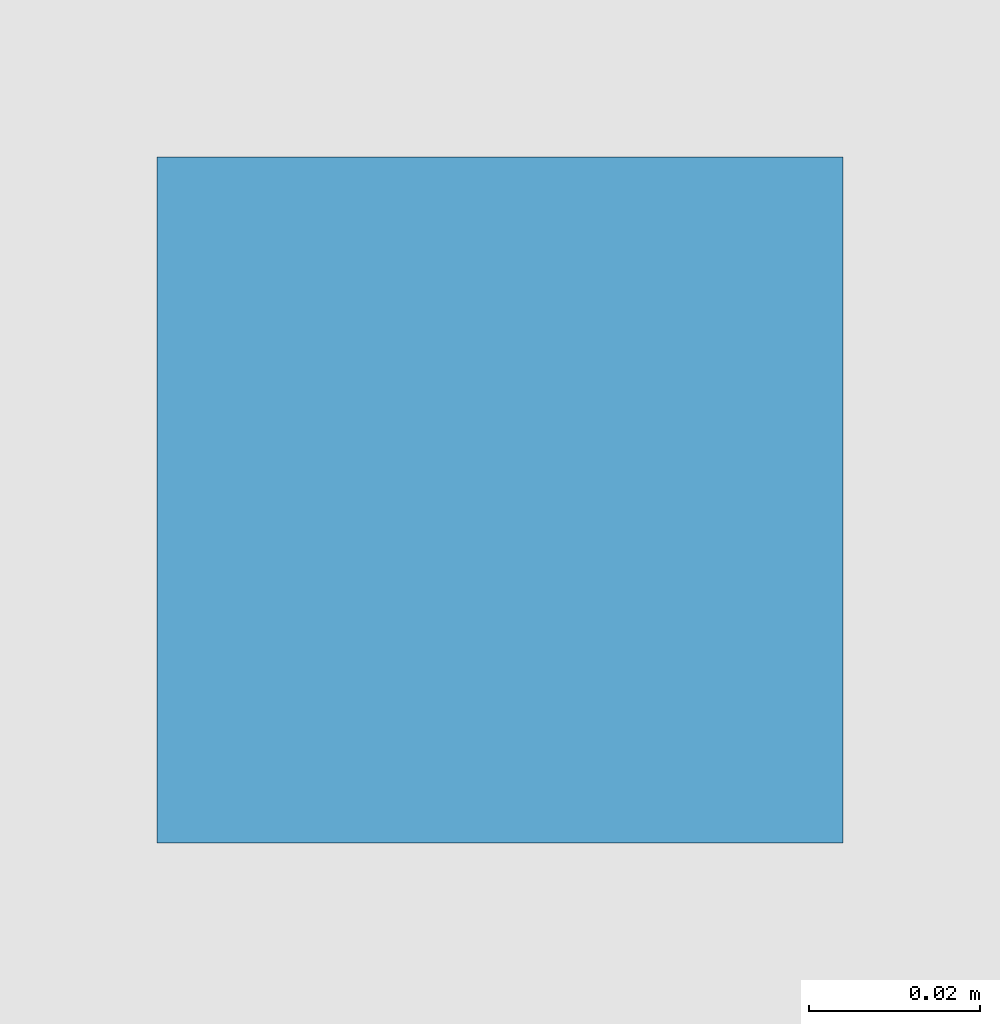
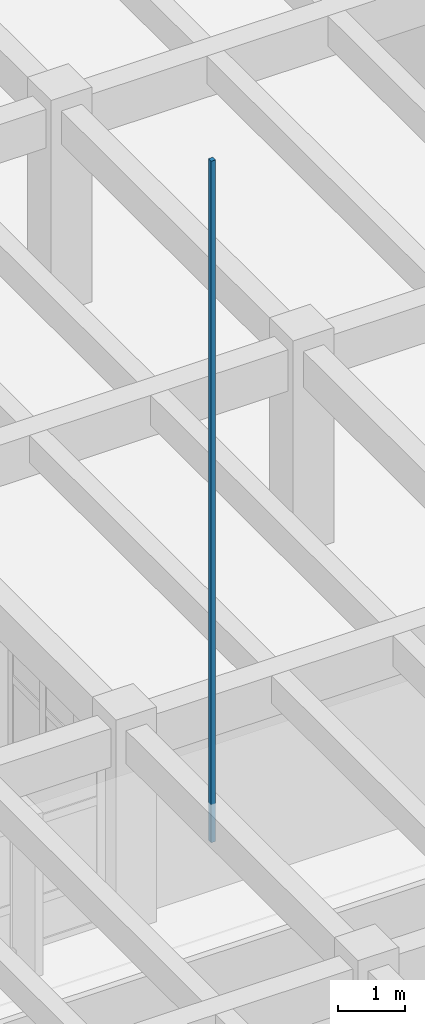
# One storey, part 47 of 54: 1 discrete accessory.
"""IFC4 building model written with IfcOpenShell, lengths in metres."""

import ifcopenshell
import ifcopenshell.guid

model = None  # the IFC model being written
_history = None  # IfcOwnerHistory: only IFC2X3 demands one
_inside = {}  # id of a spatial element -> (the spatial element, [elements in it])
_under = {}  # id of a project, library or spatial element -> (it, [spatial elements below it])
_declared = {}  # id of a project -> (the project, [libraries it declares])
_typed = {}  # id of a type object -> (the type object, [elements of that type])
_made_of = {}  # id of a material, layer set ... -> (it, [elements and type objects made of it])


def new_model(schema):
    """Start an empty IFC model of exactly this schema.

    Asked for "IFC4X3", IfcOpenShell would pick the latest addendum, in which some entities
    have other attributes; the version numbers below select the first issue.
    IFC2X3 requires an IfcOwnerHistory on every rooted entity: one is made here for all.
    """
    global model, _history
    if schema == "IFC4X3":
        model = ifcopenshell.file(schema_version=(4, 3, 0, 0))
    else:
        model = ifcopenshell.file(schema=schema)
    _inside.clear()
    _under.clear()
    _declared.clear()
    _typed.clear()
    _made_of.clear()
    _history = None
    if model.schema == "IFC2X3":
        org = make("IfcOrganization", Name="unknown")
        user = make(
            "IfcPersonAndOrganization",
            ThePerson=make("IfcPerson", FamilyName="unknown"),
            TheOrganization=org,
        )
        app = make(
            "IfcApplication",
            ApplicationDeveloper=org,
            Version="unknown",
            ApplicationFullName="unknown",
            ApplicationIdentifier="unknown",
        )
        _history = make(
            "IfcOwnerHistory",
            OwningUser=user,
            OwningApplication=app,
            ChangeAction="ADDED",
            CreationDate=0,
        )
    return model


def make(cls, **values):
    """One entity of the class cls with the attributes given. An attribute that is None is left unset."""
    return model.create_entity(
        cls, **{name: value for name, value in values.items() if value is not None}
    )


def rooted(cls, **values):
    """An entity with a GlobalId (a new one), such as an element, a storey or a relation."""
    return make(cls, GlobalId=ifcopenshell.guid.new(), OwnerHistory=_history, **values)


def si_unit(unit_type, name, prefix=None):
    """IfcSIUnit, for example si_unit("LENGTHUNIT", "METRE", prefix="MILLI")."""
    return make("IfcSIUnit", UnitType=unit_type, Prefix=prefix, Name=name)


def assignment(units):
    """IfcUnitAssignment: the units of a project."""
    return None if units is None else make("IfcUnitAssignment", Units=units)


def point(xyz):
    """IfcCartesianPoint."""
    return None if xyz is None else make("IfcCartesianPoint", Coordinates=xyz)


def direction(xyz):
    """IfcDirection."""
    return None if xyz is None else make("IfcDirection", DirectionRatios=xyz)


def frame(location, z_axis=None, x_axis=None):
    """IfcAxis2Placement3D, a coordinate frame: its origin and axes. An axis left out is left unset."""
    return make(
        "IfcAxis2Placement3D",
        Location=point(location),
        Axis=direction(z_axis),
        RefDirection=direction(x_axis),
    )


def frame_2d(location, x_axis=None):
    """IfcAxis2Placement2D, a coordinate frame in the plane: its origin and x axis."""
    return make(
        "IfcAxis2Placement2D", Location=point(location), RefDirection=direction(x_axis)
    )


def origin():
    """The frame at (0, 0, 0) with its axes left unset."""
    return frame((0.0, 0.0, 0.0))


def origin_2d():
    """The frame at (0, 0) in the plane with its x axis left unset."""
    return frame_2d((0.0, 0.0))


def place(relative_to, where):
    """IfcLocalPlacement: puts the frame where relative to a parent placement (None: the world)."""
    return make(
        "IfcLocalPlacement", PlacementRelTo=relative_to, RelativePlacement=where
    )


def context(
    kind, dimensions, precision=None, world=None, true_north=None, identifier=None
):
    """IfcGeometricRepresentationContext, for example the 3D "Model" context."""
    return make(
        "IfcGeometricRepresentationContext",
        ContextIdentifier=identifier,
        ContextType=kind,
        CoordinateSpaceDimension=dimensions,
        Precision=precision,
        WorldCoordinateSystem=world,
        TrueNorth=true_north,
    )


def subcontext(parent, identifier, kind, view, scale=None):
    """IfcGeometricRepresentationSubContext, for example "Body" below "Model"."""
    return make(
        "IfcGeometricRepresentationSubContext",
        ContextIdentifier=identifier,
        ContextType=kind,
        ParentContext=parent,
        TargetScale=scale,
        TargetView=view,
    )


def project(units=None, contexts=None):
    """IfcProject with its units and contexts."""
    return rooted(
        "IfcProject",
        Name="project",
        RepresentationContexts=contexts,
        UnitsInContext=assignment(units),
    )


def spatial(cls, under=None, at=None, **own):
    """A site, building, storey or space (cls), placed at a placement, below another one or the project."""
    s = rooted(cls, ObjectPlacement=at, **own)
    if under is not None:
        _under.setdefault(under.id(), (under, []))[1].append(s)
    return s


def profile(cls, at=None, kind="AREA", **sizes):
    """A parametric profile (cls). Its sizes go by their IFC names, for example OverallWidth=200.0."""
    return make(cls, ProfileType=kind, Position=at, **sizes)


def rectangle(**sizes):
    """IfcRectangleProfileDef."""
    return profile("IfcRectangleProfileDef", **sizes)


def extrude(swept, where, along, depth):
    """IfcExtrudedAreaSolid: the profile swept, set in the frame where, extruded along a direction by depth."""
    return make(
        "IfcExtrudedAreaSolid",
        SweptArea=swept,
        Position=where,
        ExtrudedDirection=direction(along),
        Depth=depth,
    )


def shape(context_of_items, identifier, shape_type, items):
    """IfcShapeRepresentation: the items that make up one representation, for example the "Body"."""
    return make(
        "IfcShapeRepresentation",
        ContextOfItems=context_of_items,
        RepresentationIdentifier=identifier,
        RepresentationType=shape_type,
        Items=items,
    )


def material(Name=None, Category=None):
    """IfcMaterial."""
    return make("IfcMaterial", Name=Name, Category=Category)


def made_of(thing, what):
    """Note that an element or type object is made of a material, layer set ...; save() writes the relation."""
    if what is not None:
        _made_of.setdefault(what.id(), (what, []))[1].append(thing)
    return thing


def type_object(cls, material=None, **own):
    """A type object (cls), such as IfcWallType, which elements share."""
    return made_of(rooted(cls, **own), material)


def element(
    cls,
    number,
    at=None,
    inside=None,
    cuts=None,
    type_object=None,
    material=None,
    context=None,
    identifier="Body",
    shape_type=None,
    held_by="IfcProductDefinitionShape",
    body=None,
    shapes=None,
    **own,
):
    """One element of the class cls, such as IfcWall. Its Tag is "e" and its number.

    at: its placement. inside: the storey or other place that contains it. cuts: it is an
    opening in that element (IfcRelVoidsElement). A single representation is given by context,
    identifier, shape_type and body (its items); several are given by shapes. held_by: the class
    of the entity that holds the representations. save() writes the other relations.
    """
    e = rooted(cls, Tag="e%d" % number, ObjectPlacement=at, **own)
    if body is not None:
        shapes = [shape(context, identifier, shape_type, body)]
    if shapes is not None:
        e.Representation = make(held_by, Representations=shapes)
    if inside is not None:
        _inside.setdefault(inside.id(), (inside, []))[1].append(e)
    if cuts is not None:
        rooted(
            "IfcRelVoidsElement", RelatingBuildingElement=cuts, RelatedOpeningElement=e
        )
    if type_object is not None:
        _typed.setdefault(type_object.id(), (type_object, []))[1].append(e)
    return made_of(e, material)


def aggregate(whole, parts):
    """IfcRelAggregates: a whole, such as a stair, and the parts it consists of."""
    return rooted("IfcRelAggregates", RelatingObject=whole, RelatedObjects=parts)


def save(model, path):
    """Write the relations noted so far, then the file.

    IfcRelAggregates (storeys below a building ...), IfcRelContainedInSpatialStructure (elements
    in a storey), IfcRelDefinesByType, IfcRelAssociatesMaterial and IfcRelDeclares: one each for
    every whole, place, type object, material and project.
    """
    for whole, parts in _under.values():
        aggregate(whole, parts)
    for where, things in _inside.values():
        rooted(
            "IfcRelContainedInSpatialStructure",
            RelatedElements=things,
            RelatingStructure=where,
        )
    for kind, things in _typed.values():
        rooted("IfcRelDefinesByType", RelatedObjects=things, RelatingType=kind)
    for what, things in _made_of.values():
        rooted("IfcRelAssociatesMaterial", RelatedObjects=things, RelatingMaterial=what)
    for by, libraries in _declared.values():
        rooted("IfcRelDeclares", RelatingContext=by, RelatedDefinitions=libraries)
    model.write(path)


model = new_model("IFC4")

# Units and contexts
model_context = context("Model", 3, precision=1e-05, world=origin(), true_north=direction((0.0, 1.0)))
body_context = subcontext(model_context, "Body", "Model", "MODEL_VIEW")
ifc_project = project(units=[si_unit("LENGTHUNIT", "METRE"), si_unit("AREAUNIT", "SQUARE_METRE"), si_unit("VOLUMEUNIT", "CUBIC_METRE"), si_unit("PLANEANGLEUNIT", "RADIAN"), si_unit("MASSUNIT", "GRAM", prefix="KILO")], contexts=[model_context])

# Site, building, storey
site_placement = place(None, origin())
site = spatial("IfcSite", under=ifc_project, at=site_placement, CompositionType="ELEMENT")
building_placement = place(site_placement, origin())
building = spatial("IfcBuilding", under=site, at=building_placement, Name="Koriwan Promenade Central Fire Station", CompositionType="ELEMENT")
storey_placement = place(building_placement, frame((0.0, 0.0, 9.60009765625)))
storey = spatial("IfcBuildingStorey", under=building, at=storey_placement, Name="L02", CompositionType="ELEMENT", Elevation=9.60009765625)

# Discrete accessory
ifc_material = material(Name="Steel ASTM A572 Grade 50", Category="steel")
discrete_accessory_type = type_object("IfcDiscreteAccessoryType", Name="CeilingHanger_Bracket", PredefinedType="BRACKET", material=ifc_material)
discrete_accessory_placement = place(storey_placement, frame((151.199951171875, 11.800048828125, 2.955078125), z_axis=(0.0, 0.0, 1.0), x_axis=(1.0, 0.0, 0.0)))
element("IfcDiscreteAccessory", 1, at=discrete_accessory_placement, inside=storey, type_object=discrete_accessory_type, Name="Disaster Simulation Studio acoustic ceiling seismic hanger", PredefinedType="BRACKET", context=body_context, shape_type="SweptSolid", body=[
    extrude(rectangle(XDim=0.080078125, YDim=0.080078125, at=origin_2d()), origin(), (0.0, 0.0, 1.0), 12.373779296875),
])

save(model, "model.ifc")
